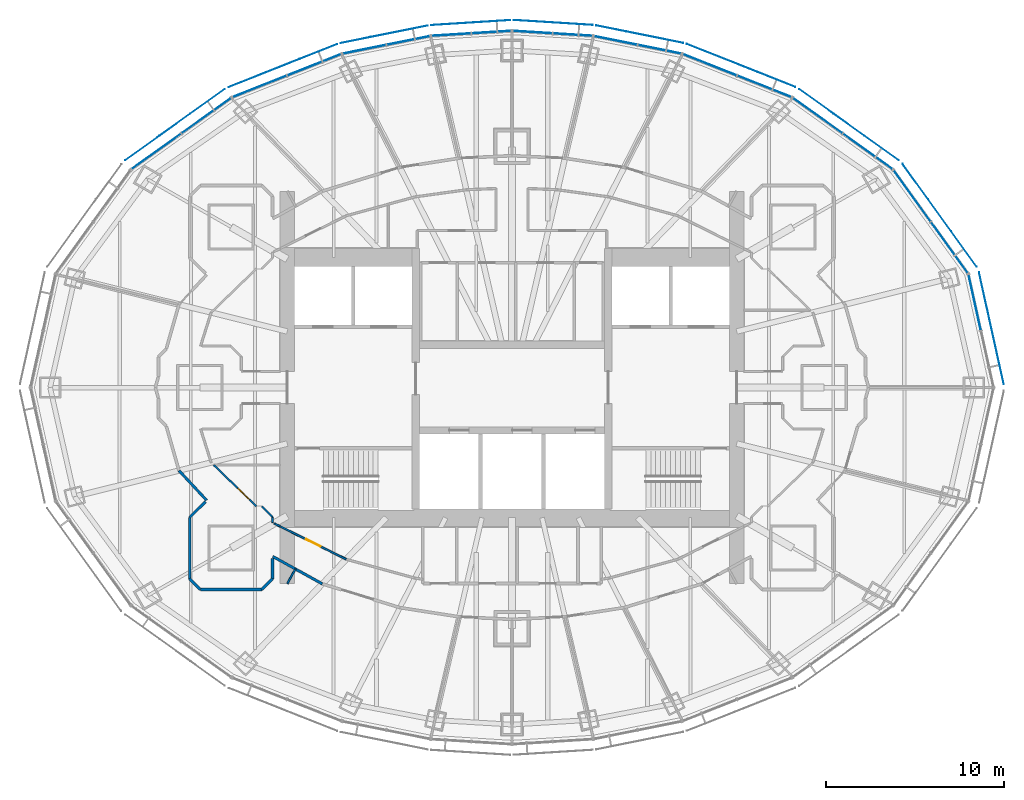
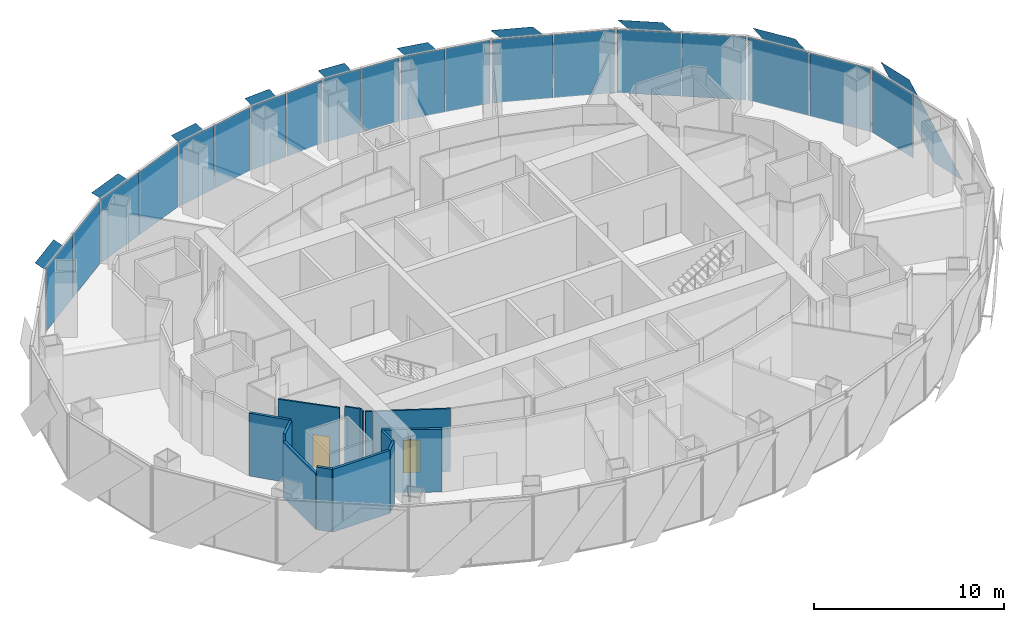
# One storey, part 11 of 19: 29 plates, 14 walls, 2 doors, 2 openings, 10 elements without a shape of their own.
"""IFC4 building model written with IfcOpenShell, lengths in metres."""

from ifc_helpers import new_model, si_unit, direction, frame, frame_2d, origin, origin_2d, place, context, subcontext, project, spatial, polyline, rectangle, outline, extrude, material, layer, layer_set, type_object, element, fill, aggregate, save


model = new_model("IFC4")

# Units and contexts
model_context = context("Model", 3, precision=1e-05, world=origin(), true_north=direction((0.0, 1.0)))
body_context = subcontext(model_context, "Body", "Model", "MODEL_VIEW")
ifc_project = project(units=[si_unit("LENGTHUNIT", "METRE"), si_unit("AREAUNIT", "SQUARE_METRE"), si_unit("VOLUMEUNIT", "CUBIC_METRE"), si_unit("PLANEANGLEUNIT", "RADIAN"), si_unit("MASSUNIT", "GRAM", prefix="KILO")], contexts=[model_context])

# Site, building, storey
site_placement = place(None, origin())
site = spatial("IfcSite", under=ifc_project, at=site_placement, CompositionType="ELEMENT")
building_placement = place(site_placement, origin())
building = spatial("IfcBuilding", under=site, at=building_placement, Name="Lantaw Convention Tower", CompositionType="ELEMENT")
storey_placement = place(building_placement, frame((0.0, 0.0, 253.60009765625)))
storey = spatial("IfcBuildingStorey", under=building, at=storey_placement, Name="L59", CompositionType="ELEMENT", Elevation=253.60009765625)

# Curtain wall, plate
ifc_material_1 = material(Name="Aluminium framed curtain wall", Category="aluminium")
curtain_wall_type = type_object("IfcCurtainWallType", Name="Office curtain wall high rise, pale aluminium", PredefinedType="USERDEFINED", material=ifc_material_1)
curtain_wall_1_placement = place(storey_placement, origin())
curtain_wall_1 = element("IfcCurtainWall", 1, at=curtain_wall_1_placement, inside=storey, type_object=curtain_wall_type, Name="Office curtain wall high rise, pale aluminium L59", ObjectType="UNITISED CURTAIN WALL", PredefinedType="USERDEFINED")
ifc_material_2 = material(Name="Clear insulating glass", Category="glass")
ifc_layer_1 = layer(ifc_material_2, 0.028076171875)
ifc_layer_set_1 = layer_set([ifc_layer_1], Name="CW-O2 panel 28")
plate_type_1 = type_object("IfcPlateType", Name="CW-O2 panel 28", PredefinedType="CURTAIN_PANEL", material=ifc_layer_set_1)
plate_1_placement = place(storey_placement, frame((25.945556640625, 4.769287109375, -0.0849609375), z_axis=(0.0, 0.0, 1.0), x_axis=(-0.215891333626, 0.976417396437, 0.0)))
plate_1 = element("IfcPlate", 2, at=plate_1_placement, type_object=plate_type_1, Name="CW-O2 panel 2.1", PredefinedType="CURTAIN_PANEL", context=body_context, shape_type="SweptSolid", body=[
    extrude(rectangle(XDim=3.169677734375, YDim=0.028076171875, at=origin_2d()), origin(), (0.0, 0.0, 1.0), 4.070068359375),
])
aggregate(curtain_wall_1, [plate_1])

# Curtain wall, plates
curtain_wall_2_placement = place(storey_placement, origin())
curtain_wall_2 = element("IfcCurtainWall", 3, at=curtain_wall_2_placement, inside=storey, type_object=curtain_wall_type, Name="Office curtain wall high rise, pale aluminium L59", ObjectType="UNITISED CURTAIN WALL", PredefinedType="USERDEFINED")
plate_2_placement = place(storey_placement, frame((24.527099609375, 7.852294921875, -0.0849609375), z_axis=(0.0, 0.0, 1.0), x_axis=(-0.585157643865, 0.810919559405, 0.0)))
plate_2 = element("IfcPlate", 4, at=plate_2_placement, type_object=plate_type_1, Name="CW-O2 panel 1.1", PredefinedType="CURTAIN_PANEL", context=body_context, shape_type="SweptSolid", body=[
    extrude(rectangle(XDim=3.500732421875, YDim=0.028076171875, at=origin_2d()), origin(), (0.0, 0.0, 1.0), 4.070068359375),
])
plate_3_placement = place(storey_placement, frame((22.4404296875, 10.743896484375, -0.0849609375), z_axis=(0.0, 0.0, 1.0), x_axis=(-0.585157643865, 0.810919559405, 0.0)))
plate_3 = element("IfcPlate", 5, at=plate_3_placement, type_object=plate_type_1, Name="CW-O2 panel 2.1", PredefinedType="CURTAIN_PANEL", context=body_context, shape_type="SweptSolid", body=[
    extrude(rectangle(XDim=3.500732421875, YDim=0.028076171875, at=origin_2d()), origin(), (0.0, 0.0, 1.0), 4.070068359375),
])
aggregate(curtain_wall_2, [plate_2, plate_3])

curtain_wall_3_placement = place(storey_placement, origin())
curtain_wall_3 = element("IfcCurtainWall", 6, at=curtain_wall_3_placement, inside=storey, type_object=curtain_wall_type, Name="Office curtain wall high rise, pale aluminium L59", ObjectType="UNITISED CURTAIN WALL", PredefinedType="USERDEFINED")
plate_4_placement = place(storey_placement, frame((19.947509765625, 13.23828125, -0.0849609375), z_axis=(0.0, 0.0, 1.0), x_axis=(-0.813672540482, 0.581323487281, 0.0)))
plate_4 = element("IfcPlate", 7, at=plate_4_placement, type_object=plate_type_1, Name="CW-O2 panel 1.1", PredefinedType="CURTAIN_PANEL", context=body_context, shape_type="SweptSolid", body=[
    extrude(rectangle(XDim=3.386474609375, YDim=0.028076171875, at=origin_2d()), origin(), (0.0, 0.0, 1.0), 4.070068359375),
])
plate_5_placement = place(storey_placement, frame((17.13916015625, 15.24462890625, -0.0849609375), z_axis=(0.0, 0.0, 1.0), x_axis=(-0.813672540482, 0.581323487281, 0.0)))
plate_5 = element("IfcPlate", 8, at=plate_5_placement, type_object=plate_type_1, Name="CW-O2 panel 2.1", PredefinedType="CURTAIN_PANEL", context=body_context, shape_type="SweptSolid", body=[
    extrude(rectangle(XDim=3.386474609375, YDim=0.028076171875, at=origin_2d()), origin(), (0.0, 0.0, 1.0), 4.070068359375),
])
aggregate(curtain_wall_3, [plate_4, plate_5])

curtain_wall_4_placement = place(storey_placement, origin())
curtain_wall_4 = element("IfcCurtainWall", 9, at=curtain_wall_4_placement, inside=storey, type_object=curtain_wall_type, Name="Office curtain wall high rise, pale aluminium L59", ObjectType="UNITISED CURTAIN WALL", PredefinedType="USERDEFINED")
plate_6_placement = place(storey_placement, frame((14.14990234375, 16.8837890625, -0.0849609375), z_axis=(0.0, 0.0, 1.0), x_axis=(-0.929761533743, 0.368162315252, 0.0)))
plate_6 = element("IfcPlate", 10, at=plate_6_placement, type_object=plate_type_1, Name="CW-O2 panel 1.1", PredefinedType="CURTAIN_PANEL", context=body_context, shape_type="SweptSolid", body=[
    extrude(rectangle(XDim=3.222900390625, YDim=0.028076171875, at=origin_2d()), origin(), (0.0, 0.0, 1.0), 4.070068359375),
])
plate_7_placement = place(storey_placement, frame((11.0927734375, 18.094482421875, -0.0849609375), z_axis=(0.0, 0.0, 1.0), x_axis=(-0.929761533743, 0.368162315252, 0.0)))
plate_7 = element("IfcPlate", 11, at=plate_7_placement, type_object=plate_type_1, Name="CW-O2 panel 2.1", PredefinedType="CURTAIN_PANEL", context=body_context, shape_type="SweptSolid", body=[
    extrude(rectangle(XDim=3.222900390625, YDim=0.028076171875, at=origin_2d()), origin(), (0.0, 0.0, 1.0), 4.070068359375),
])
aggregate(curtain_wall_4, [plate_6, plate_7])

curtain_wall_5_placement = place(storey_placement, origin())
curtain_wall_5 = element("IfcCurtainWall", 12, at=curtain_wall_5_placement, inside=storey, type_object=curtain_wall_type, Name="Office curtain wall high rise, pale aluminium L59", ObjectType="UNITISED CURTAIN WALL", PredefinedType="USERDEFINED")
plate_8_placement = place(storey_placement, frame((8.2724609375, 18.96533203125, -0.0849609375), z_axis=(0.0, 0.0, 1.0), x_axis=(-0.980366679695, 0.197183095987, 0.0)))
plate_8 = element("IfcPlate", 13, at=plate_8_placement, type_object=plate_type_1, Name="CW-O2 panel 1.1", PredefinedType="CURTAIN_PANEL", context=body_context, shape_type="SweptSolid", body=[
    extrude(rectangle(XDim=2.44384765625, YDim=0.028076171875, at=origin_2d()), origin(), (0.0, 0.0, 1.0), 4.070068359375),
])
plate_9_placement = place(storey_placement, frame((5.81298828125, 19.4599609375, -0.0849609375), z_axis=(0.0, 0.0, 1.0), x_axis=(-0.980366679695, 0.197183095987, 0.0)))
plate_9 = element("IfcPlate", 14, at=plate_9_placement, type_object=plate_type_1, Name="CW-O2 panel 2.1", PredefinedType="CURTAIN_PANEL", context=body_context, shape_type="SweptSolid", body=[
    extrude(rectangle(XDim=2.44384765625, YDim=0.028076171875, at=origin_2d()), origin(), (0.0, 0.0, 1.0), 4.070068359375),
])
aggregate(curtain_wall_5, [plate_8, plate_9])

curtain_wall_6_placement = place(storey_placement, origin())
curtain_wall_6 = element("IfcCurtainWall", 15, at=curtain_wall_6_placement, inside=storey, type_object=curtain_wall_type, Name="Office curtain wall high rise, pale aluminium L59", ObjectType="UNITISED CURTAIN WALL", PredefinedType="USERDEFINED")
plate_10_placement = place(storey_placement, frame((3.397216796875, 19.786376953125, -0.0849609375), z_axis=(0.0, 0.0, 1.0), x_axis=(-0.998028774865, 0.062757983884, 0.0)))
plate_10 = element("IfcPlate", 16, at=plate_10_placement, type_object=plate_type_1, Name="CW-O2 panel 1.1", PredefinedType="CURTAIN_PANEL", context=body_context, shape_type="SweptSolid", body=[
    extrude(rectangle(XDim=2.1826171875, YDim=0.028076171875, at=origin_2d()), origin(), (0.0, 0.0, 1.0), 4.070068359375),
])
plate_11_placement = place(storey_placement, frame((1.154052734375, 19.927490234375, -0.0849609375), z_axis=(0.0, 0.0, 1.0), x_axis=(-0.998028774865, 0.062757983884, 0.0)))
plate_11 = element("IfcPlate", 17, at=plate_11_placement, type_object=plate_type_1, Name="CW-O2 panel 2.1", PredefinedType="CURTAIN_PANEL", context=body_context, shape_type="SweptSolid", body=[
    extrude(rectangle(XDim=2.1826171875, YDim=0.028076171875, at=origin_2d()), origin(), (0.0, 0.0, 1.0), 4.070068359375),
])
aggregate(curtain_wall_6, [plate_10, plate_11])

curtain_wall_7_placement = place(storey_placement, origin())
curtain_wall_7 = element("IfcCurtainWall", 18, at=curtain_wall_7_placement, inside=storey, type_object=curtain_wall_type, Name="Office curtain wall high rise, pale aluminium L59", ObjectType="UNITISED CURTAIN WALL", PredefinedType="USERDEFINED")
plate_12_placement = place(storey_placement, frame((-1.154052734375, 19.927490234375, -0.0849609375), z_axis=(0.0, 0.0, 1.0), x_axis=(-0.998028774865, -0.062757983884, 0.0)))
plate_12 = element("IfcPlate", 19, at=plate_12_placement, type_object=plate_type_1, Name="CW-O2 panel 1.1", PredefinedType="CURTAIN_PANEL", context=body_context, shape_type="SweptSolid", body=[
    extrude(rectangle(XDim=2.1826171875, YDim=0.028076171875, at=origin_2d()), origin(), (0.0, 0.0, 1.0), 4.070068359375),
])
plate_13_placement = place(storey_placement, frame((-3.397216796875, 19.786376953125, -0.0849609375), z_axis=(0.0, 0.0, 1.0), x_axis=(-0.998028774865, -0.062757983884, 0.0)))
plate_13 = element("IfcPlate", 20, at=plate_13_placement, type_object=plate_type_1, Name="CW-O2 panel 2.1", PredefinedType="CURTAIN_PANEL", context=body_context, shape_type="SweptSolid", body=[
    extrude(rectangle(XDim=2.1826171875, YDim=0.028076171875, at=origin_2d()), origin(), (0.0, 0.0, 1.0), 4.070068359375),
])
aggregate(curtain_wall_7, [plate_12, plate_13])

curtain_wall_8_placement = place(storey_placement, origin())
curtain_wall_8 = element("IfcCurtainWall", 21, at=curtain_wall_8_placement, inside=storey, type_object=curtain_wall_type, Name="Office curtain wall high rise, pale aluminium L59", ObjectType="UNITISED CURTAIN WALL", PredefinedType="USERDEFINED")
plate_14_placement = place(storey_placement, frame((-5.81298828125, 19.4599609375, -0.0849609375), z_axis=(0.0, 0.0, 1.0), x_axis=(-0.980366679695, -0.197183095987, 0.0)))
plate_14 = element("IfcPlate", 22, at=plate_14_placement, type_object=plate_type_1, Name="CW-O2 panel 1.1", PredefinedType="CURTAIN_PANEL", context=body_context, shape_type="SweptSolid", body=[
    extrude(rectangle(XDim=2.44384765625, YDim=0.028076171875, at=origin_2d()), origin(), (0.0, 0.0, 1.0), 4.070068359375),
])
plate_15_placement = place(storey_placement, frame((-8.2724609375, 18.96533203125, -0.0849609375), z_axis=(0.0, 0.0, 1.0), x_axis=(-0.980366679695, -0.197183095987, 0.0)))
plate_15 = element("IfcPlate", 23, at=plate_15_placement, type_object=plate_type_1, Name="CW-O2 panel 2.1", PredefinedType="CURTAIN_PANEL", context=body_context, shape_type="SweptSolid", body=[
    extrude(rectangle(XDim=2.44384765625, YDim=0.028076171875, at=origin_2d()), origin(), (0.0, 0.0, 1.0), 4.070068359375),
])
aggregate(curtain_wall_8, [plate_14, plate_15])

curtain_wall_9_placement = place(storey_placement, origin())
curtain_wall_9 = element("IfcCurtainWall", 24, at=curtain_wall_9_placement, inside=storey, type_object=curtain_wall_type, Name="Office curtain wall high rise, pale aluminium L59", ObjectType="UNITISED CURTAIN WALL", PredefinedType="USERDEFINED")
plate_16_placement = place(storey_placement, frame((-11.0927734375, 18.094482421875, -0.0849609375), z_axis=(0.0, 0.0, 1.0), x_axis=(-0.929761533743, -0.368162315252, 0.0)))
plate_16 = element("IfcPlate", 25, at=plate_16_placement, type_object=plate_type_1, Name="CW-O2 panel 1.1", PredefinedType="CURTAIN_PANEL", context=body_context, shape_type="SweptSolid", body=[
    extrude(rectangle(XDim=3.222900390625, YDim=0.028076171875, at=origin_2d()), origin(), (0.0, 0.0, 1.0), 4.070068359375),
])
plate_17_placement = place(storey_placement, frame((-14.14990234375, 16.8837890625, -0.0849609375), z_axis=(0.0, 0.0, 1.0), x_axis=(-0.929761533743, -0.368162315252, 0.0)))
plate_17 = element("IfcPlate", 26, at=plate_17_placement, type_object=plate_type_1, Name="CW-O2 panel 2.1", PredefinedType="CURTAIN_PANEL", context=body_context, shape_type="SweptSolid", body=[
    extrude(rectangle(XDim=3.222900390625, YDim=0.028076171875, at=origin_2d()), origin(), (0.0, 0.0, 1.0), 4.070068359375),
])
aggregate(curtain_wall_9, [plate_16, plate_17])

curtain_wall_10_placement = place(storey_placement, origin())
curtain_wall_10 = element("IfcCurtainWall", 27, at=curtain_wall_10_placement, inside=storey, type_object=curtain_wall_type, Name="Office curtain wall high rise, pale aluminium L59", ObjectType="UNITISED CURTAIN WALL", PredefinedType="USERDEFINED")
plate_18_placement = place(storey_placement, frame((-17.13916015625, 15.24462890625, -0.0849609375), z_axis=(0.0, 0.0, 1.0), x_axis=(-0.813672540482, -0.581323487281, 0.0)))
plate_18 = element("IfcPlate", 28, at=plate_18_placement, type_object=plate_type_1, Name="CW-O2 panel 1.1", PredefinedType="CURTAIN_PANEL", context=body_context, shape_type="SweptSolid", body=[
    extrude(rectangle(XDim=3.386474609375, YDim=0.028076171875, at=origin_2d()), origin(), (0.0, 0.0, 1.0), 4.070068359375),
])
plate_19_placement = place(storey_placement, frame((-19.947509765625, 13.23828125, -0.0849609375), z_axis=(0.0, 0.0, 1.0), x_axis=(-0.813672540482, -0.581323487281, 0.0)))
plate_19 = element("IfcPlate", 29, at=plate_19_placement, type_object=plate_type_1, Name="CW-O2 panel 2.1", PredefinedType="CURTAIN_PANEL", context=body_context, shape_type="SweptSolid", body=[
    extrude(rectangle(XDim=3.386474609375, YDim=0.028076171875, at=origin_2d()), origin(), (0.0, 0.0, 1.0), 4.070068359375),
])
aggregate(curtain_wall_10, [plate_18, plate_19])

# Plates
ifc_material_3 = material(Name="Perforated aluminium sheet, pale silver finish", Category="aluminium")
ifc_layer_2 = layer(ifc_material_3, 0.006103515625)
ifc_layer_set_2 = layer_set([ifc_layer_2], Name="Perforated aluminium solar SCREEN panel")
plate_type_2 = type_object("IfcPlateType", Name="Perforated aluminium solar SCREEN panel", PredefinedType="SHEET", material=ifc_layer_set_2)
plate_20_placement = place(storey_placement, frame((27.580810546875, 0.1796875, -0.175048828125), z_axis=(0.976429511424, 0.215836529031, 4.4221925e-05), x_axis=(-0.215836529242, 0.976429512379, 0.0)))
element("IfcPlate", 30, at=plate_20_placement, inside=storey, type_object=plate_type_2, Name="Solar SCREEN panel", PredefinedType="SHEET", context=body_context, shape_type="SweptSolid", body=[
    extrude(outline(polyline([(0.0, 0.0), (2.2215525295212517, 3.3881317890172014e-21), (6.4341686174090675, 4.339843754243453), (4.212616087887817, 4.339843754243453), (0.0, 0.0)])), origin(), (0.0, 0.0, -1.0), 0.006103515625),
])
plate_21_placement = place(storey_placement, frame((26.051513671875, 6.775390625, -0.175048828125), z_axis=(-0.810892289695, -0.585195432394, 2.0459565e-05), x_axis=(-0.585195432516, 0.810892289865, 0.0)))
element("IfcPlate", 31, at=plate_21_placement, inside=storey, type_object=plate_type_2, Name="Solar SCREEN panel", PredefinedType="SHEET", context=body_context, shape_type="SweptSolid", body=[
    extrude(outline(polyline([(0.0, 0.0), (2.4468488406832853, 0.0), (7.096610466675719, -4.339843750908316), (4.649761625992434, -4.339843750908316), (0.0, 0.0)])), origin(), (0.0, 0.0, -1.0), 0.006103515625),
])
plate_22_placement = place(storey_placement, frame((21.689697265625, 12.73828125, -0.175048828125), z_axis=(0.581330799771, 0.813667316006, 1.0072981e-05), x_axis=(-0.813667316047, 0.5813307998, 3.02e-10)))
element("IfcPlate", 32, at=plate_22_placement, inside=storey, type_object=plate_type_2, Name="Solar SCREEN panel", PredefinedType="SHEET", context=body_context, shape_type="SweptSolid", body=[
    extrude(outline(polyline([(0.0, 0.0), (2.36914164286685, -1.6940658945086007e-21), (6.867806096558412, 4.339843748148034), (4.498863102938643, 4.3398437495775966), (0.0, 0.0)])), origin(), (0.0, 0.0, -1.0), 0.006103515625),
])
plate_23_placement = place(storey_placement, frame((15.88525390625, 16.8486328125, -0.175048828125), z_axis=(-0.368116612072, -0.929779629081, 3.5535267e-05), x_axis=(-0.929779629668, 0.368116612304, -1.786e-09)))
element("IfcPlate", 33, at=plate_23_placement, inside=storey, type_object=plate_type_2, Name="Solar SCREEN panel", PredefinedType="SHEET", context=body_context, shape_type="SweptSolid", body=[
    extrude(outline(polyline([(0.0, 0.0), (2.2578720663572183, -6.776263578034403e-21), (6.540904465438181, -4.339843764423989), (4.282942526861161, -4.33984375635743), (0.0, 0.0)])), origin(), (0.0, 0.0, -1.0), 0.006103515625),
])
plate_24_placement = place(storey_placement, frame((9.6044921875, 19.315673828125, -0.175048828125), z_axis=(-0.197162069853, -0.980370908428, 1.0904697e-05), x_axis=(-0.980370908486, 0.197162069865, -7.55e-10)))
element("IfcPlate", 34, at=plate_24_placement, inside=storey, type_object=plate_type_2, Name="Solar SCREEN panel", PredefinedType="SHEET", context=body_context, shape_type="SweptSolid", body=[
    extrude(outline(polyline([(0.0, 0.0), (1.7279870169553606, 0.0), (4.982578440602753, -4.339843754020975), (3.2545432883764285, -4.339843751410917), (0.0, 0.0)])), origin(), (0.0, 0.0, -1.0), 0.006103515625),
])
plate_25_placement = place(storey_placement, frame((4.539306640625, 20.32177734375, -0.175048828125), z_axis=(-0.062672387577, -0.998034151922, 5.8589976e-05), x_axis=(-0.998034153635, 0.062672387685, 0.0)))
element("IfcPlate", 35, at=plate_25_placement, inside=storey, type_object=plate_type_2, Name="Solar SCREEN panel", PredefinedType="SHEET", context=body_context, shape_type="SweptSolid", body=[
    extrude(outline(polyline([(0.0, 0.0), (1.5504111513762302, 8.470329472543003e-22), (4.460200019412434, -4.339843757448876), (2.9097888680362036, -4.339843757448876), (0.0, 0.0)])), origin(), (0.0, 0.0, -1.0), 0.006103515625),
])
plate_26_placement = place(storey_placement, frame((-0.087890625, 20.6015625, -0.175048828125), z_axis=(-0.062672387577, 0.998034151922, 5.8589976e-05), x_axis=(-0.998034153635, -0.062672387685, 0.0)))
element("IfcPlate", 36, at=plate_26_placement, inside=storey, type_object=plate_type_2, Name="Solar SCREEN panel", PredefinedType="SHEET", context=body_context, shape_type="SweptSolid", body=[
    extrude(outline(polyline([(0.0, 0.0), (1.5504111513762302, -8.470329472543003e-22), (4.460200019412434, 4.339843757448876), (2.9097888680362036, 4.339843757448876), (0.0, 0.0)])), origin(), (0.0, 0.0, -1.0), 0.006103515625),
])
plate_27_placement = place(storey_placement, frame((-4.7197265625, 20.298095703125, -0.175048828125), z_axis=(-0.197162069853, 0.980370908428, 1.0904697e-05), x_axis=(-0.980370908486, -0.197162069865, 7.55e-10)))
element("IfcPlate", 37, at=plate_27_placement, inside=storey, type_object=plate_type_2, Name="Solar SCREEN panel", PredefinedType="SHEET", context=body_context, shape_type="SweptSolid", body=[
    extrude(outline(polyline([(0.0, 0.0), (1.7280351522263238, 0.0), (4.982578447157737, 4.339843746495192), (3.2545914302023755, 4.339843749105177), (0.0, 0.0)])), origin(), (0.0, 0.0, -1.0), 0.006103515625),
])
plate_28_placement = place(storey_placement, frame((-9.8037109375, 19.256591796875, -0.175048828125), z_axis=(-0.368116612072, 0.929779629081, 3.5535267e-05), x_axis=(-0.929779629668, -0.368116612304, 1.786e-09)))
element("IfcPlate", 38, at=plate_28_placement, inside=storey, type_object=plate_type_2, Name="Solar SCREEN panel", PredefinedType="SHEET", context=body_context, shape_type="SweptSolid", body=[
    extrude(outline(polyline([(0.0, 0.0), (2.257961938577019, 6.776263578034403e-21), (6.540904480942253, 4.339843741056637), (4.283032414585034, 4.339843749122875), (0.0, 0.0)])), origin(), (0.0, 0.0, -1.0), 0.006103515625),
])
plate_29_placement = place(storey_placement, frame((-16.1015625, 16.730712890625, -0.175048828125), z_axis=(0.581330799771, -0.813667316006, 1.0072981e-05), x_axis=(-0.813667316047, -0.5813307998, -3.02e-10)))
element("IfcPlate", 39, at=plate_29_placement, inside=storey, type_object=plate_type_2, Name="Solar SCREEN panel", PredefinedType="SHEET", context=body_context, shape_type="SweptSolid", body=[
    extrude(outline(polyline([(0.0, 0.0), (2.3689429936197683, -1.6940658945086007e-21), (6.867806093939489, -4.339843752292481), (4.498664451072639, -4.339843750862799), (0.0, 0.0)])), origin(), (0.0, 0.0, -1.0), 0.006103515625),
])

# Walls
ifc_material_4 = material(Name="Gypsum board on steel studs, fire rated", Category="steel")
ifc_layer_3 = layer(ifc_material_4, 0.14990234375)
ifc_layer_set_3 = layer_set([ifc_layer_3], Name="Corridor wall 150 EI 60")
wall_type_1 = type_object("IfcWallType", Name="Corridor wall 150 EI 60", PredefinedType="PARTITIONING", material=ifc_layer_set_3)
wall_1_placement = place(storey_placement, frame((-18.67333984375, -4.65576171875, 0.0), z_axis=(0.0, 0.0, 1.0), x_axis=(0.680985069419, -0.732297299755, 0.0)))
element("IfcWall", 40, at=wall_1_placement, inside=storey, type_object=wall_type_1, Name="Corridor wall 150", PredefinedType="PARTITIONING", context=body_context, shape_type="SweptSolid", body=[
    extrude(rectangle(XDim=2.279052734375, YDim=0.14990234375, at=frame_2d((1.1396484375, 0.0))), origin(), (0.0, 0.0, 1.0), 4.0498046875),
])
wall_2_placement = place(storey_placement, frame((-13.4150390625, -9.4716796875, 0.0), z_axis=(0.0, 0.0, 1.0), x_axis=(0.875072100837, -0.483992580869, 0.0)))
element("IfcWall", 41, at=wall_2_placement, inside=storey, type_object=wall_type_1, Name="Corridor wall 150", PredefinedType="PARTITIONING", context=body_context, shape_type="SweptSolid", body=[
    extrude(rectangle(XDim=3.179443359375, YDim=0.14990234375, at=frame_2d((1.58984375, 0.0))), origin(), (0.0, 0.0, 1.0), 4.0498046875),
])
wall_3_placement = place(storey_placement, frame((-18.074951171875, -7.275390625, 0.0), z_axis=(0.0, 0.0, 1.0), x_axis=(0.713842064016, 0.700306723973, 0.0)))
element("IfcWall", 42, at=wall_3_placement, inside=storey, type_object=wall_type_1, Name="Corridor wall 150", PredefinedType="PARTITIONING", context=body_context, shape_type="SweptSolid", body=[
    extrude(rectangle(XDim=1.24462890625, YDim=0.14990234375, at=frame_2d((0.622314453125, 0.0))), origin(), (0.0, 0.0, 1.0), 4.0498046875),
])
wall_4_placement = place(storey_placement, frame((-13.425048828125, -9.586181640625, 0.0), z_axis=(0.0, 0.0, 1.0), x_axis=(0.0, -1.0, 0.0)))
element("IfcWall", 43, at=wall_4_placement, inside=storey, type_object=wall_type_1, Name="Corridor wall 150", PredefinedType="PARTITIONING", context=body_context, shape_type="SweptSolid", body=[
    extrude(rectangle(XDim=1.138427734375, YDim=0.14990234375, at=frame_2d((0.5693359375, 0.0))), origin(), (0.0, 0.0, 1.0), 4.0498046875),
])
wall_5_placement = place(storey_placement, frame((-13.425048828125, -10.724609375, 0.0), z_axis=(0.0, 0.0, 1.0), x_axis=(-0.707106781187, -0.707106781187, 0.0)))
element("IfcWall", 44, at=wall_5_placement, inside=storey, type_object=wall_type_1, Name="Corridor wall 150", PredefinedType="PARTITIONING", context=body_context, shape_type="SweptSolid", body=[
    extrude(rectangle(XDim=0.84912109375, YDim=0.14990234375, at=frame_2d((0.424560546875, 0.0))), origin(), (0.0, 0.0, 1.0), 4.0498046875),
])
wall_6_placement = place(storey_placement, frame((-14.025390625, -11.324951171875, 0.0), z_axis=(0.0, 0.0, 1.0), x_axis=(-1.0, 0.0, 0.0)))
element("IfcWall", 45, at=wall_6_placement, inside=storey, type_object=wall_type_1, Name="Corridor wall 150", PredefinedType="PARTITIONING", context=body_context, shape_type="SweptSolid", body=[
    extrude(rectangle(XDim=3.44921875, YDim=0.14990234375, at=frame_2d((1.724609375, 0.0))), origin(), (0.0, 0.0, 1.0), 4.0498046875),
])
wall_7_placement = place(storey_placement, frame((-17.474609375, -11.324951171875, 0.0), z_axis=(0.0, 0.0, 1.0), x_axis=(-0.707106781187, 0.707106781187, 0.0)))
element("IfcWall", 46, at=wall_7_placement, inside=storey, type_object=wall_type_1, Name="Corridor wall 150", PredefinedType="PARTITIONING", context=body_context, shape_type="SweptSolid", body=[
    extrude(rectangle(XDim=0.84912109375, YDim=0.14990234375, at=frame_2d((0.424560546875, 0.0))), origin(), (0.0, 0.0, 1.0), 4.0498046875),
])
wall_8_placement = place(storey_placement, frame((-18.074951171875, -10.724609375, 0.0), z_axis=(0.0, 0.0, 1.0), x_axis=(0.0, 1.0, 0.0)))
element("IfcWall", 47, at=wall_8_placement, inside=storey, type_object=wall_type_1, Name="Corridor wall 150", PredefinedType="PARTITIONING", context=body_context, shape_type="SweptSolid", body=[
    extrude(rectangle(XDim=3.44921875, YDim=0.14990234375, at=frame_2d((1.724609375, 0.0))), origin(), (0.0, 0.0, 1.0), 3.600341796875),
])
ifc_material_5 = material(Name="Gypsum board on steel studs, acoustic", Category="steel")
ifc_layer_4 = layer(ifc_material_5, 0.10009765625)
ifc_layer_set_4 = layer_set([ifc_layer_4], Name="Office partition 100")
wall_type_2 = type_object("IfcWallType", Name="Office partition 100", PredefinedType="PARTITIONING", material=ifc_layer_set_4)
wall_9_placement = place(storey_placement, frame((-13.0, -7.788330078125, 0.0), z_axis=(0.0, 0.0, 1.0), x_axis=(-0.895721570004, 0.444615416995, 0.0)))
element("IfcWall", 48, at=wall_9_placement, inside=storey, type_object=wall_type_2, Name="Office partition 100", PredefinedType="PARTITIONING", context=body_context, shape_type="SweptSolid", body=[
    extrude(rectangle(XDim=0.376220703125, YDim=0.10009765625, at=frame_2d((0.18798828125, 0.0))), origin(), (0.0, 0.0, 1.0), 4.0498046875),
])

# Wall, opening, door
wall_10_placement = place(storey_placement, frame((-9.2978515625, -9.628173828125, 0.0), z_axis=(0.0, 0.0, 1.0), x_axis=(-0.895529831139, 0.445001484874, 0.0)))
wall_10 = element("IfcWall", 49, at=wall_10_placement, inside=storey, type_object=wall_type_2, Name="Office partition 100", PredefinedType="PARTITIONING", context=body_context, shape_type="SweptSolid", body=[
    extrude(rectangle(XDim=4.108154296875, YDim=0.10009765625, at=frame_2d((2.05419921875, 0.0))), origin(), (0.0, 0.0, 1.0), 4.0498046875),
])
opening_1_placement = place(wall_10_placement, frame((1.60400390625, 0.0, 0.0)))
opening_1 = element("IfcOpeningElement", 50, at=opening_1_placement, cuts=wall_10, Name="Opening L59.24", PredefinedType="OPENING", context=body_context, shape_type="SweptSolid", body=[
    extrude(rectangle(XDim=0.89990234375, YDim=2.10009765625, at=frame_2d((0.449951171875, 1.050048828125))), frame((0.0, 0.06005859375, 0.0), z_axis=(0.0, -1.0, 0.0), x_axis=(1.0, 0.0, 0.0)), (0.0, 0.0, 1.0), 0.1201171875),
])
ifc_material_6 = material(Name="Timber", Category="wood")
door_type = type_object("IfcDoorType", Name="Office door 900", OperationType="SINGLE_SWING_LEFT", PredefinedType="DOOR", material=ifc_material_6)
door_1_placement = place(opening_1_placement, origin())
door_1 = element("IfcDoor", 51, at=door_1_placement, inside=storey, type_object=door_type, Name="Tenant storage room door", OperationType="SINGLE_SWING_LEFT", OverallHeight=2.10009765625, OverallWidth=0.89990234375, PredefinedType="DOOR", context=body_context, shape_type="SweptSolid", body=[
    extrude(rectangle(XDim=0.89990234375, YDim=2.10009765625, at=frame_2d((0.449951171875, 1.050048828125))), frame((0.0, 0.02490234375, 0.0), z_axis=(0.0, -1.0, 0.0), x_axis=(1.0, 0.0, 0.0)), (0.0, 0.0, 1.0), 0.050048828125),
])
fill(opening_1, door_1)

# Wall
wall_11_placement = place(storey_placement, frame((-12.60009765625, -11.0, 0.0), z_axis=(0.0, 0.0, 1.0), x_axis=(0.484103558985, 0.875010710893, 0.0)))
element("IfcWall", 52, at=wall_11_placement, inside=storey, type_object=wall_type_2, Name="Office partition 100", PredefinedType="PARTITIONING", context=body_context, shape_type="SweptSolid", body=[
    extrude(rectangle(XDim=0.943115234375, YDim=0.10009765625, at=frame_2d((0.4716796875, 0.0))), origin(), (0.0, 0.0, 1.0), 4.0498046875),
])

# Wall, opening, door
wall_12_placement = place(storey_placement, frame((-14.325439453125, -6.6650390625, 0.0), z_axis=(0.0, 0.0, 1.0), x_axis=(-0.718798647558, 0.695218314107, 0.0)))
wall_12 = element("IfcWall", 53, at=wall_12_placement, inside=storey, type_object=wall_type_2, Name="Office partition 100", PredefinedType="PARTITIONING", context=body_context, shape_type="SweptSolid", body=[
    extrude(rectangle(XDim=3.34423828125, YDim=0.10009765625, at=frame_2d((1.672119140625, 0.0))), origin(), (0.0, 0.0, 1.0), 4.0498046875),
])
opening_2_placement = place(wall_12_placement, frame((0.550048828125, 0.0, 0.0)))
opening_2 = element("IfcOpeningElement", 54, at=opening_2_placement, cuts=wall_12, Name="Opening L59.22", PredefinedType="OPENING", context=body_context, shape_type="SweptSolid", body=[
    extrude(rectangle(XDim=0.89990234375, YDim=2.10009765625, at=frame_2d((0.449951171875, 1.050048828125))), frame((0.0, 0.06005859375, 0.0), z_axis=(0.0, -1.0, 0.0), x_axis=(1.0, 0.0, 0.0)), (0.0, 0.0, 1.0), 0.1201171875),
])
door_2_placement = place(opening_2_placement, origin())
door_2 = element("IfcDoor", 55, at=door_2_placement, inside=storey, type_object=door_type, Name="Meeting room door", OperationType="SINGLE_SWING_LEFT", OverallHeight=2.10009765625, OverallWidth=0.89990234375, PredefinedType="DOOR", context=body_context, shape_type="SweptSolid", body=[
    extrude(rectangle(XDim=0.89990234375, YDim=2.10009765625, at=frame_2d((0.449951171875, 1.050048828125))), frame((0.0, 0.02490234375, 0.0), z_axis=(0.0, -1.0, 0.0), x_axis=(1.0, 0.0, 0.0)), (0.0, 0.0, 1.0), 0.050048828125),
])
fill(opening_2, door_2)

# Walls
wall_13_placement = place(storey_placement, frame((-14.025390625, -6.675048828125, 0.0), z_axis=(0.0, 0.0, 1.0), x_axis=(0.707106781187, -0.707106781187, 0.0)))
element("IfcWall", 56, at=wall_13_placement, inside=storey, type_object=wall_type_2, Name="Office partition 100", PredefinedType="PARTITIONING", context=body_context, shape_type="SweptSolid", body=[
    extrude(rectangle(XDim=0.84912109375, YDim=0.10009765625, at=frame_2d((0.424560546875, 0.0))), origin(), (0.0, 0.0, 1.0), 4.0498046875),
])
wall_14_placement = place(storey_placement, frame((-13.425048828125, -7.275390625, 0.0), z_axis=(0.0, 0.0, 1.0), x_axis=(0.0, -1.0, 0.0)))
element("IfcWall", 57, at=wall_14_placement, inside=storey, type_object=wall_type_2, Name="Office partition 100", PredefinedType="PARTITIONING", context=body_context, shape_type="SweptSolid", body=[
    extrude(rectangle(XDim=0.30224609375, YDim=0.10009765625, at=frame_2d((0.151123046875, 0.0))), origin(), (0.0, 0.0, 1.0), 4.0498046875),
])

save(model, "model.ifc")
